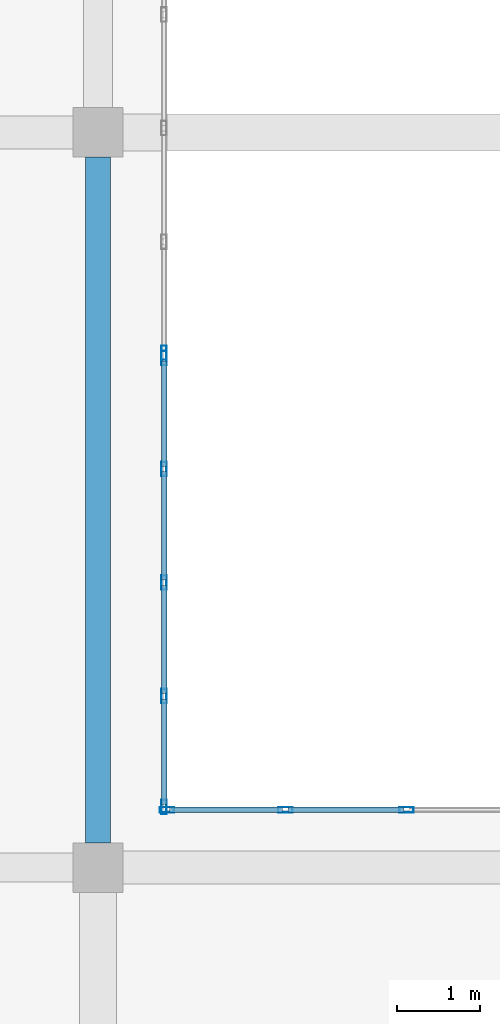
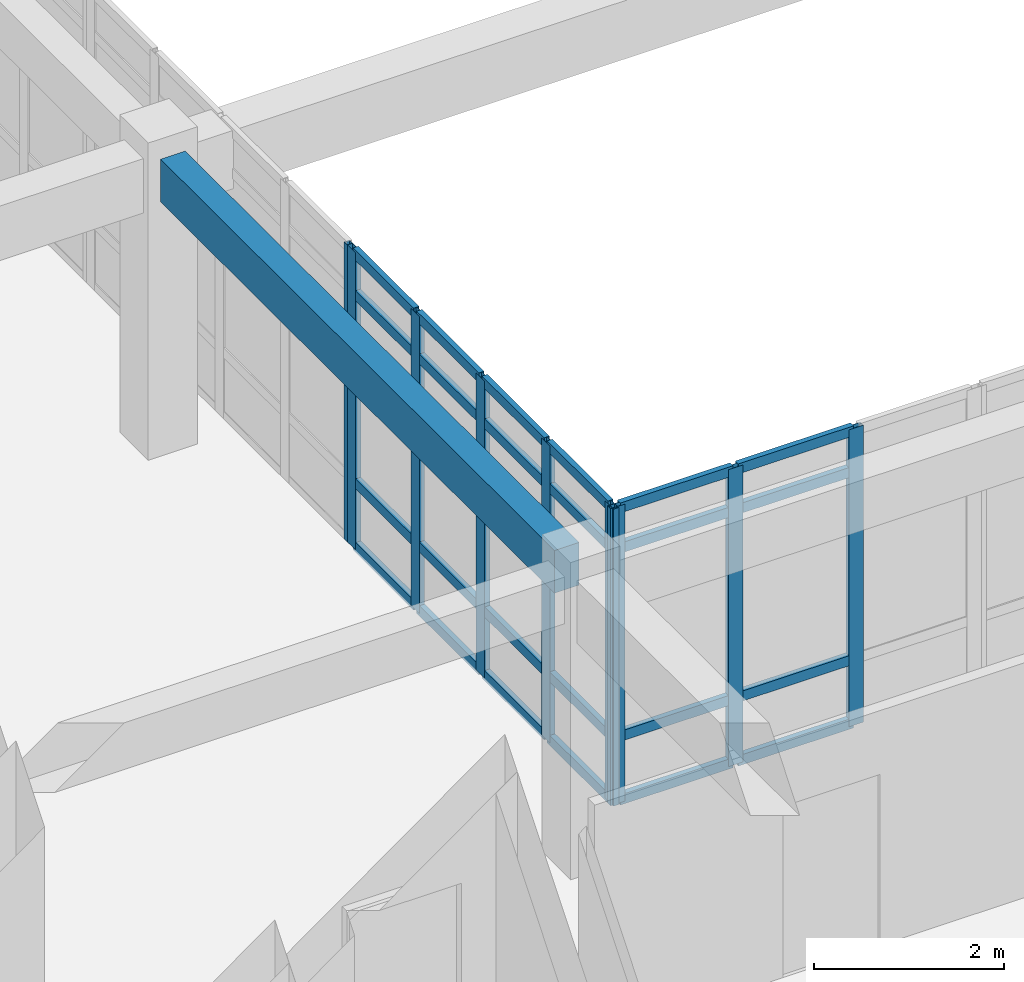
# One storey, part 81 of 146: 33 members, 1 beam, 3 elements without a shape of their own.
"""IFC4 building model written with IfcOpenShell, lengths in metres."""

import ifcopenshell
import ifcopenshell.guid

model = None  # the IFC model being written
_history = None  # IfcOwnerHistory: only IFC2X3 demands one
_inside = {}  # id of a spatial element -> (the spatial element, [elements in it])
_under = {}  # id of a project, library or spatial element -> (it, [spatial elements below it])
_declared = {}  # id of a project -> (the project, [libraries it declares])
_typed = {}  # id of a type object -> (the type object, [elements of that type])
_made_of = {}  # id of a material, layer set ... -> (it, [elements and type objects made of it])


def new_model(schema):
    """Start an empty IFC model of exactly this schema.

    Asked for "IFC4X3", IfcOpenShell would pick the latest addendum, in which some entities
    have other attributes; the version numbers below select the first issue.
    IFC2X3 requires an IfcOwnerHistory on every rooted entity: one is made here for all.
    """
    global model, _history
    if schema == "IFC4X3":
        model = ifcopenshell.file(schema_version=(4, 3, 0, 0))
    else:
        model = ifcopenshell.file(schema=schema)
    _inside.clear()
    _under.clear()
    _declared.clear()
    _typed.clear()
    _made_of.clear()
    _history = None
    if model.schema == "IFC2X3":
        org = make("IfcOrganization", Name="unknown")
        user = make(
            "IfcPersonAndOrganization",
            ThePerson=make("IfcPerson", FamilyName="unknown"),
            TheOrganization=org,
        )
        app = make(
            "IfcApplication",
            ApplicationDeveloper=org,
            Version="unknown",
            ApplicationFullName="unknown",
            ApplicationIdentifier="unknown",
        )
        _history = make(
            "IfcOwnerHistory",
            OwningUser=user,
            OwningApplication=app,
            ChangeAction="ADDED",
            CreationDate=0,
        )
    return model


def make(cls, **values):
    """One entity of the class cls with the attributes given. An attribute that is None is left unset."""
    return model.create_entity(
        cls, **{name: value for name, value in values.items() if value is not None}
    )


def rooted(cls, **values):
    """An entity with a GlobalId (a new one), such as an element, a storey or a relation."""
    return make(cls, GlobalId=ifcopenshell.guid.new(), OwnerHistory=_history, **values)


def si_unit(unit_type, name, prefix=None):
    """IfcSIUnit, for example si_unit("LENGTHUNIT", "METRE", prefix="MILLI")."""
    return make("IfcSIUnit", UnitType=unit_type, Prefix=prefix, Name=name)


def assignment(units):
    """IfcUnitAssignment: the units of a project."""
    return None if units is None else make("IfcUnitAssignment", Units=units)


def point(xyz):
    """IfcCartesianPoint."""
    return None if xyz is None else make("IfcCartesianPoint", Coordinates=xyz)


def direction(xyz):
    """IfcDirection."""
    return None if xyz is None else make("IfcDirection", DirectionRatios=xyz)


def frame(location, z_axis=None, x_axis=None):
    """IfcAxis2Placement3D, a coordinate frame: its origin and axes. An axis left out is left unset."""
    return make(
        "IfcAxis2Placement3D",
        Location=point(location),
        Axis=direction(z_axis),
        RefDirection=direction(x_axis),
    )


def frame_2d(location, x_axis=None):
    """IfcAxis2Placement2D, a coordinate frame in the plane: its origin and x axis."""
    return make(
        "IfcAxis2Placement2D", Location=point(location), RefDirection=direction(x_axis)
    )


def origin():
    """The frame at (0, 0, 0) with its axes left unset."""
    return frame((0.0, 0.0, 0.0))


def origin_2d():
    """The frame at (0, 0) in the plane with its x axis left unset."""
    return frame_2d((0.0, 0.0))


def place(relative_to, where):
    """IfcLocalPlacement: puts the frame where relative to a parent placement (None: the world)."""
    return make(
        "IfcLocalPlacement", PlacementRelTo=relative_to, RelativePlacement=where
    )


def context(
    kind, dimensions, precision=None, world=None, true_north=None, identifier=None
):
    """IfcGeometricRepresentationContext, for example the 3D "Model" context."""
    return make(
        "IfcGeometricRepresentationContext",
        ContextIdentifier=identifier,
        ContextType=kind,
        CoordinateSpaceDimension=dimensions,
        Precision=precision,
        WorldCoordinateSystem=world,
        TrueNorth=true_north,
    )


def subcontext(parent, identifier, kind, view, scale=None):
    """IfcGeometricRepresentationSubContext, for example "Body" below "Model"."""
    return make(
        "IfcGeometricRepresentationSubContext",
        ContextIdentifier=identifier,
        ContextType=kind,
        ParentContext=parent,
        TargetScale=scale,
        TargetView=view,
    )


def project(units=None, contexts=None):
    """IfcProject with its units and contexts."""
    return rooted(
        "IfcProject",
        Name="project",
        RepresentationContexts=contexts,
        UnitsInContext=assignment(units),
    )


def spatial(cls, under=None, at=None, **own):
    """A site, building, storey or space (cls), placed at a placement, below another one or the project."""
    s = rooted(cls, ObjectPlacement=at, **own)
    if under is not None:
        _under.setdefault(under.id(), (under, []))[1].append(s)
    return s


def profile(cls, at=None, kind="AREA", **sizes):
    """A parametric profile (cls). Its sizes go by their IFC names, for example OverallWidth=200.0."""
    return make(cls, ProfileType=kind, Position=at, **sizes)


def rectangle(**sizes):
    """IfcRectangleProfileDef."""
    return profile("IfcRectangleProfileDef", **sizes)


def hollow_rectangle(**sizes):
    """IfcRectangleHollowProfileDef."""
    return profile("IfcRectangleHollowProfileDef", **sizes)


def extrude(swept, where, along, depth):
    """IfcExtrudedAreaSolid: the profile swept, set in the frame where, extruded along a direction by depth."""
    return make(
        "IfcExtrudedAreaSolid",
        SweptArea=swept,
        Position=where,
        ExtrudedDirection=direction(along),
        Depth=depth,
    )


def shape(context_of_items, identifier, shape_type, items):
    """IfcShapeRepresentation: the items that make up one representation, for example the "Body"."""
    return make(
        "IfcShapeRepresentation",
        ContextOfItems=context_of_items,
        RepresentationIdentifier=identifier,
        RepresentationType=shape_type,
        Items=items,
    )


def material(Name=None, Category=None):
    """IfcMaterial."""
    return make("IfcMaterial", Name=Name, Category=Category)


def layer(
    of_material, thickness, ventilated=None, Name=None, Category=None, Priority=None
):
    """IfcMaterialLayer: one layer of a wall or slab, of a material (None: an air gap)."""
    return make(
        "IfcMaterialLayer",
        Material=of_material,
        LayerThickness=thickness,
        IsVentilated=ventilated,
        Name=Name,
        Category=Category,
        Priority=Priority,
    )


def layer_set(layers, Name=None):
    """IfcMaterialLayerSet."""
    return make("IfcMaterialLayerSet", MaterialLayers=layers, LayerSetName=Name)


def material_profile(
    of_material, cross_section, Name=None, Category=None, Priority=None
):
    """IfcMaterialProfile: a cross section and its material."""
    return make(
        "IfcMaterialProfile",
        Name=Name,
        Material=of_material,
        Profile=cross_section,
        Priority=Priority,
        Category=Category,
    )


def profile_set(profiles, Name=None, composite=None):
    """IfcMaterialProfileSet."""
    return make(
        "IfcMaterialProfileSet",
        Name=Name,
        MaterialProfiles=profiles,
        CompositeProfile=composite,
    )


def made_of(thing, what):
    """Note that an element or type object is made of a material, layer set ...; save() writes the relation."""
    if what is not None:
        _made_of.setdefault(what.id(), (what, []))[1].append(thing)
    return thing


def type_object(cls, material=None, **own):
    """A type object (cls), such as IfcWallType, which elements share."""
    return made_of(rooted(cls, **own), material)


def element(
    cls,
    number,
    at=None,
    inside=None,
    cuts=None,
    type_object=None,
    material=None,
    context=None,
    identifier="Body",
    shape_type=None,
    held_by="IfcProductDefinitionShape",
    body=None,
    shapes=None,
    **own,
):
    """One element of the class cls, such as IfcWall. Its Tag is "e" and its number.

    at: its placement. inside: the storey or other place that contains it. cuts: it is an
    opening in that element (IfcRelVoidsElement). A single representation is given by context,
    identifier, shape_type and body (its items); several are given by shapes. held_by: the class
    of the entity that holds the representations. save() writes the other relations.
    """
    e = rooted(cls, Tag="e%d" % number, ObjectPlacement=at, **own)
    if body is not None:
        shapes = [shape(context, identifier, shape_type, body)]
    if shapes is not None:
        e.Representation = make(held_by, Representations=shapes)
    if inside is not None:
        _inside.setdefault(inside.id(), (inside, []))[1].append(e)
    if cuts is not None:
        rooted(
            "IfcRelVoidsElement", RelatingBuildingElement=cuts, RelatedOpeningElement=e
        )
    if type_object is not None:
        _typed.setdefault(type_object.id(), (type_object, []))[1].append(e)
    return made_of(e, material)


def aggregate(whole, parts):
    """IfcRelAggregates: a whole, such as a stair, and the parts it consists of."""
    return rooted("IfcRelAggregates", RelatingObject=whole, RelatedObjects=parts)


def save(model, path):
    """Write the relations noted so far, then the file.

    IfcRelAggregates (storeys below a building ...), IfcRelContainedInSpatialStructure (elements
    in a storey), IfcRelDefinesByType, IfcRelAssociatesMaterial and IfcRelDeclares: one each for
    every whole, place, type object, material and project.
    """
    for whole, parts in _under.values():
        aggregate(whole, parts)
    for where, things in _inside.values():
        rooted(
            "IfcRelContainedInSpatialStructure",
            RelatedElements=things,
            RelatingStructure=where,
        )
    for kind, things in _typed.values():
        rooted("IfcRelDefinesByType", RelatedObjects=things, RelatingType=kind)
    for what, things in _made_of.values():
        rooted("IfcRelAssociatesMaterial", RelatedObjects=things, RelatingMaterial=what)
    for by, libraries in _declared.values():
        rooted("IfcRelDeclares", RelatingContext=by, RelatedDefinitions=libraries)
    model.write(path)


model = new_model("IFC4")

# Units and contexts
model_context = context("Model", 3, precision=1e-05, world=origin(), true_north=direction((0.0, 1.0)))
body_context = subcontext(model_context, "Body", "Model", "MODEL_VIEW")
ifc_project = project(units=[si_unit("LENGTHUNIT", "METRE"), si_unit("AREAUNIT", "SQUARE_METRE"), si_unit("VOLUMEUNIT", "CUBIC_METRE"), si_unit("PLANEANGLEUNIT", "RADIAN"), si_unit("MASSUNIT", "GRAM", prefix="KILO")], contexts=[model_context])

# Site, building, storey
site_placement = place(None, origin())
site = spatial("IfcSite", under=ifc_project, at=site_placement, CompositionType="ELEMENT")
building_placement = place(site_placement, origin())
building = spatial("IfcBuilding", under=site, at=building_placement, Name="Valcora Specialist Clinic", CompositionType="ELEMENT")
storey_placement = place(building_placement, frame((0.0, 0.0, 9.52001953125)))
storey = spatial("IfcBuildingStorey", under=building, at=storey_placement, Name="L02", CompositionType="ELEMENT", Elevation=9.52001953125)

# Beam
ifc_material_1 = material(Name="Concrete C40/50", Category="concrete")
ifc_material_profile_1 = material_profile(ifc_material_1, rectangle(XDim=0.300048828125, YDim=0.550048828125, at=origin_2d()), Name="RC-BM-300X550")
ifc_profile_set_1 = profile_set([ifc_material_profile_1], Name="Concrete C40/50")
beam_type = type_object("IfcBeamType", Name="TY-BM-RC300X550", PredefinedType="BEAM", material=ifc_profile_set_1)
beam_placement = place(storey_placement, frame((76.0, 81.60009765625, 3.544921875), z_axis=(0.0, 1.0, 0.0), x_axis=(-1.0, 0.0, 0.0)))
element("IfcBeam", 1, at=beam_placement, inside=storey, type_object=beam_type, Name="Beam BM-L02-0743", PredefinedType="BEAM", context=body_context, shape_type="SweptSolid", body=[
    extrude(rectangle(XDim=0.300048828125, YDim=0.550048828125, at=origin_2d()), origin(), (0.0, 0.0, 1.0), 8.2998046875),
])

# Curtain wall, members
ifc_material_2 = material(Name="Anodized Bronze Aluminium 6063-T6", Category="aluminium")
ifc_layer = layer(ifc_material_2, 0.175048828125)
ifc_layer_set = layer_set([ifc_layer], Name="Anodized Bronze Aluminium 6063-T6")
curtain_wall_type = type_object("IfcCurtainWallType", Name="TY-CW-CRT15", PredefinedType="NOTDEFINED", material=ifc_layer_set)
curtain_wall_1_placement = place(storey_placement, origin())
curtain_wall_1 = element("IfcCurtainWall", 2, at=curtain_wall_1_placement, inside=storey, type_object=curtain_wall_type, Name="Curtain wall CW-L02-093", PredefinedType="NOTDEFINED")
ifc_material_profile_2 = material_profile(ifc_material_2, hollow_rectangle(XDim=0.06494140625, YDim=0.175048828125, WallThickness=0.00390625, at=origin_2d()), Name="AL-MUL-65X175")
ifc_profile_set_2 = profile_set([ifc_material_profile_2], Name="Anodized Bronze Aluminium 6063-T6")
member_type_1 = type_object("IfcMemberType", Name="TY-CWM-65X175", PredefinedType="MULLION", material=ifc_profile_set_2)
member_1_placement = place(storey_placement, frame((76.83251953125, 82.0, 0.0), z_axis=(0.0, 0.0, 1.0), x_axis=(0.0, 1.0, 0.0)))
member_1 = element("IfcMember", 3, at=member_1_placement, type_object=member_type_1, Name="CW-CRT-15 mullion 1", PredefinedType="MULLION", context=body_context, shape_type="SweptSolid", body=[
    extrude(hollow_rectangle(XDim=0.06494140625, YDim=0.175048828125, WallThickness=0.00390625, at=origin_2d()), origin(), (0.0, 0.0, 1.0), 3.820068359375),
])
member_2_placement = place(storey_placement, frame((78.2666015625, 82.0, 0.0), z_axis=(0.0, 0.0, 1.0), x_axis=(0.0, 1.0, 0.0)))
member_2 = element("IfcMember", 4, at=member_2_placement, type_object=member_type_1, Name="CW-CRT-15 mullion 2", PredefinedType="MULLION", context=body_context, shape_type="SweptSolid", body=[
    extrude(hollow_rectangle(XDim=0.06494140625, YDim=0.175048828125, WallThickness=0.00390625, at=origin_2d()), origin(), (0.0, 0.0, 1.0), 3.820068359375),
])
member_3_placement = place(storey_placement, frame((79.7333984375, 82.0, 0.0), z_axis=(0.0, 0.0, 1.0), x_axis=(0.0, 1.0, 0.0)))
member_3 = element("IfcMember", 5, at=member_3_placement, type_object=member_type_1, Name="CW-CRT-15 mullion 3", PredefinedType="MULLION", context=body_context, shape_type="SweptSolid", body=[
    extrude(hollow_rectangle(XDim=0.06494140625, YDim=0.175048828125, WallThickness=0.00390625, at=origin_2d()), origin(), (0.0, 0.0, 1.0), 3.820068359375),
])

# Curtain wall, member
curtain_wall_2_placement = place(storey_placement, origin())
curtain_wall_2 = element("IfcCurtainWall", 6, at=curtain_wall_2_placement, inside=storey, type_object=curtain_wall_type, Name="Curtain wall CW-L02-103", PredefinedType="NOTDEFINED")
member_4_placement = place(storey_placement, frame((76.800048828125, 87.532470703125, 0.0), z_axis=(0.0, 0.0, 1.0), x_axis=(1.0, 0.0, 0.0)))
member_4 = element("IfcMember", 7, at=member_4_placement, type_object=member_type_1, Name="CW-CRT-15 mullion 5", PredefinedType="MULLION", context=body_context, shape_type="SweptSolid", body=[
    extrude(hollow_rectangle(XDim=0.06494140625, YDim=0.175048828125, WallThickness=0.00390625, at=origin_2d()), origin(), (0.0, 0.0, 1.0), 3.820068359375),
])
aggregate(curtain_wall_2, [member_4])

# Curtain wall, members
curtain_wall_3_placement = place(storey_placement, origin())
curtain_wall_3 = element("IfcCurtainWall", 8, at=curtain_wall_3_placement, inside=storey, type_object=curtain_wall_type, Name="Curtain wall CW-L02-104", PredefinedType="NOTDEFINED")
member_5_placement = place(storey_placement, frame((76.800048828125, 87.467529296875, 0.0), z_axis=(0.0, 0.0, 1.0), x_axis=(1.0, 0.0, 0.0)))
member_5 = element("IfcMember", 9, at=member_5_placement, type_object=member_type_1, Name="CW-CRT-15 mullion 1", PredefinedType="MULLION", context=body_context, shape_type="SweptSolid", body=[
    extrude(hollow_rectangle(XDim=0.06494140625, YDim=0.175048828125, WallThickness=0.00390625, at=origin_2d()), origin(), (0.0, 0.0, 1.0), 3.820068359375),
])
member_6_placement = place(storey_placement, frame((76.800048828125, 86.125, 0.0), z_axis=(0.0, 0.0, 1.0), x_axis=(1.0, 0.0, 0.0)))
member_6 = element("IfcMember", 10, at=member_6_placement, type_object=member_type_1, Name="CW-CRT-15 mullion 2", PredefinedType="MULLION", context=body_context, shape_type="SweptSolid", body=[
    extrude(hollow_rectangle(XDim=0.06494140625, YDim=0.175048828125, WallThickness=0.00390625, at=origin_2d()), origin(), (0.0, 0.0, 1.0), 3.820068359375),
])
member_7_placement = place(storey_placement, frame((76.800048828125, 84.75, 0.0), z_axis=(0.0, 0.0, 1.0), x_axis=(1.0, 0.0, 0.0)))
member_7 = element("IfcMember", 11, at=member_7_placement, type_object=member_type_1, Name="CW-CRT-15 mullion 3", PredefinedType="MULLION", context=body_context, shape_type="SweptSolid", body=[
    extrude(hollow_rectangle(XDim=0.06494140625, YDim=0.175048828125, WallThickness=0.00390625, at=origin_2d()), origin(), (0.0, 0.0, 1.0), 3.820068359375),
])
member_8_placement = place(storey_placement, frame((76.800048828125, 83.375, 0.0), z_axis=(0.0, 0.0, 1.0), x_axis=(1.0, 0.0, 0.0)))
member_8 = element("IfcMember", 12, at=member_8_placement, type_object=member_type_1, Name="CW-CRT-15 mullion 4", PredefinedType="MULLION", context=body_context, shape_type="SweptSolid", body=[
    extrude(hollow_rectangle(XDim=0.06494140625, YDim=0.175048828125, WallThickness=0.00390625, at=origin_2d()), origin(), (0.0, 0.0, 1.0), 3.820068359375),
])
member_9_placement = place(storey_placement, frame((76.800048828125, 82.032470703125, 0.0), z_axis=(0.0, 0.0, 1.0), x_axis=(1.0, 0.0, 0.0)))
member_9 = element("IfcMember", 13, at=member_9_placement, type_object=member_type_1, Name="CW-CRT-15 mullion 5", PredefinedType="MULLION", context=body_context, shape_type="SweptSolid", body=[
    extrude(hollow_rectangle(XDim=0.06494140625, YDim=0.175048828125, WallThickness=0.00390625, at=origin_2d()), origin(), (0.0, 0.0, 1.0), 3.820068359375),
])

# Member
ifc_material_profile_3 = material_profile(ifc_material_2, hollow_rectangle(XDim=0.06494140625, YDim=0.1298828125, WallThickness=0.00390625, at=origin_2d()), Name="AL-TRN-65X130")
ifc_profile_set_3 = profile_set([ifc_material_profile_3], Name="Anodized Bronze Aluminium 6063-T6")
member_type_2 = type_object("IfcMemberType", Name="TY-CWT-65X130", PredefinedType="USERDEFINED", material=ifc_profile_set_3)
member_10_placement = place(storey_placement, frame((76.864990234375, 82.0, 0.032470703125), z_axis=(1.0, 0.0, 0.0), x_axis=(0.0, 1.0, 0.0)))
member_10 = element("IfcMember", 14, at=member_10_placement, type_object=member_type_2, Name="CW-CRT-15 transom 1.1", ObjectType="TRANSOM", PredefinedType="USERDEFINED", context=body_context, shape_type="SweptSolid", body=[
    extrude(hollow_rectangle(XDim=0.06494140625, YDim=0.1298828125, WallThickness=0.00390625, at=origin_2d()), origin(), (0.0, 0.0, 1.0), 1.369140625),
])

member_11_placement = place(storey_placement, frame((76.864990234375, 82.0, 0.85009765625), z_axis=(1.0, 0.0, 0.0), x_axis=(0.0, 1.0, 0.0)))
member_11 = element("IfcMember", 15, at=member_11_placement, type_object=member_type_2, Name="CW-CRT-15 transom 1.2", ObjectType="TRANSOM", PredefinedType="USERDEFINED", context=body_context, shape_type="SweptSolid", body=[
    extrude(hollow_rectangle(XDim=0.06494140625, YDim=0.1298828125, WallThickness=0.00390625, at=origin_2d()), origin(), (0.0, 0.0, 1.0), 1.369140625),
])

member_12_placement = place(storey_placement, frame((76.864990234375, 82.0, 3.27001953125), z_axis=(1.0, 0.0, 0.0), x_axis=(0.0, 1.0, 0.0)))
member_12 = element("IfcMember", 16, at=member_12_placement, type_object=member_type_2, Name="CW-CRT-15 transom 1.3", ObjectType="TRANSOM", PredefinedType="USERDEFINED", context=body_context, shape_type="SweptSolid", body=[
    extrude(hollow_rectangle(XDim=0.06494140625, YDim=0.1298828125, WallThickness=0.00390625, at=origin_2d()), origin(), (0.0, 0.0, 1.0), 1.369140625),
])

member_13_placement = place(storey_placement, frame((76.864990234375, 82.0, 3.78759765625), z_axis=(1.0, 0.0, 0.0), x_axis=(0.0, 1.0, 0.0)))
member_13 = element("IfcMember", 17, at=member_13_placement, type_object=member_type_2, Name="CW-CRT-15 transom 1.4", ObjectType="TRANSOM", PredefinedType="USERDEFINED", context=body_context, shape_type="SweptSolid", body=[
    extrude(hollow_rectangle(XDim=0.06494140625, YDim=0.1298828125, WallThickness=0.00390625, at=origin_2d()), origin(), (0.0, 0.0, 1.0), 1.369140625),
])

member_14_placement = place(storey_placement, frame((78.299072265625, 82.0, 0.032470703125), z_axis=(1.0, 0.0, 0.0), x_axis=(0.0, 1.0, 0.0)))
member_14 = element("IfcMember", 18, at=member_14_placement, type_object=member_type_2, Name="CW-CRT-15 transom 2.1", ObjectType="TRANSOM", PredefinedType="USERDEFINED", context=body_context, shape_type="SweptSolid", body=[
    extrude(hollow_rectangle(XDim=0.06494140625, YDim=0.1298828125, WallThickness=0.00390625, at=origin_2d()), origin(), (0.0, 0.0, 1.0), 1.40185546875),
])

member_15_placement = place(storey_placement, frame((78.299072265625, 82.0, 0.85009765625), z_axis=(1.0, 0.0, 0.0), x_axis=(0.0, 1.0, 0.0)))
member_15 = element("IfcMember", 19, at=member_15_placement, type_object=member_type_2, Name="CW-CRT-15 transom 2.2", ObjectType="TRANSOM", PredefinedType="USERDEFINED", context=body_context, shape_type="SweptSolid", body=[
    extrude(hollow_rectangle(XDim=0.06494140625, YDim=0.1298828125, WallThickness=0.00390625, at=origin_2d()), origin(), (0.0, 0.0, 1.0), 1.40185546875),
])

member_16_placement = place(storey_placement, frame((78.299072265625, 82.0, 3.27001953125), z_axis=(1.0, 0.0, 0.0), x_axis=(0.0, 1.0, 0.0)))
member_16 = element("IfcMember", 20, at=member_16_placement, type_object=member_type_2, Name="CW-CRT-15 transom 2.3", ObjectType="TRANSOM", PredefinedType="USERDEFINED", context=body_context, shape_type="SweptSolid", body=[
    extrude(hollow_rectangle(XDim=0.06494140625, YDim=0.1298828125, WallThickness=0.00390625, at=origin_2d()), origin(), (0.0, 0.0, 1.0), 1.40185546875),
])

member_17_placement = place(storey_placement, frame((78.299072265625, 82.0, 3.78759765625), z_axis=(1.0, 0.0, 0.0), x_axis=(0.0, 1.0, 0.0)))
member_17 = element("IfcMember", 21, at=member_17_placement, type_object=member_type_2, Name="CW-CRT-15 transom 2.4", ObjectType="TRANSOM", PredefinedType="USERDEFINED", context=body_context, shape_type="SweptSolid", body=[
    extrude(hollow_rectangle(XDim=0.06494140625, YDim=0.1298828125, WallThickness=0.00390625, at=origin_2d()), origin(), (0.0, 0.0, 1.0), 1.40185546875),
])

aggregate(curtain_wall_1, [member_1, member_2, member_3, member_10, member_11, member_12, member_13, member_14, member_15, member_16, member_17])

member_18_placement = place(storey_placement, frame((76.800048828125, 87.43505859375, 0.032470703125), z_axis=(0.0, -1.0, 0.0), x_axis=(1.0, 0.0, 0.0)))
member_18 = element("IfcMember", 22, at=member_18_placement, type_object=member_type_2, Name="CW-CRT-15 transom 1.1", ObjectType="TRANSOM", PredefinedType="USERDEFINED", context=body_context, shape_type="SweptSolid", body=[
    extrude(hollow_rectangle(XDim=0.06494140625, YDim=0.1298828125, WallThickness=0.00390625, at=origin_2d()), origin(), (0.0, 0.0, 1.0), 1.277587890625),
])

member_19_placement = place(storey_placement, frame((76.800048828125, 87.43505859375, 0.85009765625), z_axis=(0.0, -1.0, 0.0), x_axis=(1.0, 0.0, 0.0)))
member_19 = element("IfcMember", 23, at=member_19_placement, type_object=member_type_2, Name="CW-CRT-15 transom 1.2", ObjectType="TRANSOM", PredefinedType="USERDEFINED", context=body_context, shape_type="SweptSolid", body=[
    extrude(hollow_rectangle(XDim=0.06494140625, YDim=0.1298828125, WallThickness=0.00390625, at=origin_2d()), origin(), (0.0, 0.0, 1.0), 1.277587890625),
])

member_20_placement = place(storey_placement, frame((76.800048828125, 87.43505859375, 3.27001953125), z_axis=(0.0, -1.0, 0.0), x_axis=(1.0, 0.0, 0.0)))
member_20 = element("IfcMember", 24, at=member_20_placement, type_object=member_type_2, Name="CW-CRT-15 transom 1.3", ObjectType="TRANSOM", PredefinedType="USERDEFINED", context=body_context, shape_type="SweptSolid", body=[
    extrude(hollow_rectangle(XDim=0.06494140625, YDim=0.1298828125, WallThickness=0.00390625, at=origin_2d()), origin(), (0.0, 0.0, 1.0), 1.277587890625),
])

member_21_placement = place(storey_placement, frame((76.800048828125, 87.43505859375, 3.78759765625), z_axis=(0.0, -1.0, 0.0), x_axis=(1.0, 0.0, 0.0)))
member_21 = element("IfcMember", 25, at=member_21_placement, type_object=member_type_2, Name="CW-CRT-15 transom 1.4", ObjectType="TRANSOM", PredefinedType="USERDEFINED", context=body_context, shape_type="SweptSolid", body=[
    extrude(hollow_rectangle(XDim=0.06494140625, YDim=0.1298828125, WallThickness=0.00390625, at=origin_2d()), origin(), (0.0, 0.0, 1.0), 1.277587890625),
])

member_22_placement = place(storey_placement, frame((76.800048828125, 86.092529296875, 0.032470703125), z_axis=(0.0, -1.0, 0.0), x_axis=(1.0, 0.0, 0.0)))
member_22 = element("IfcMember", 26, at=member_22_placement, type_object=member_type_2, Name="CW-CRT-15 transom 2.1", ObjectType="TRANSOM", PredefinedType="USERDEFINED", context=body_context, shape_type="SweptSolid", body=[
    extrude(hollow_rectangle(XDim=0.06494140625, YDim=0.1298828125, WallThickness=0.00390625, at=origin_2d()), origin(), (0.0, 0.0, 1.0), 1.31005859375),
])

member_23_placement = place(storey_placement, frame((76.800048828125, 86.092529296875, 0.85009765625), z_axis=(0.0, -1.0, 0.0), x_axis=(1.0, 0.0, 0.0)))
member_23 = element("IfcMember", 27, at=member_23_placement, type_object=member_type_2, Name="CW-CRT-15 transom 2.2", ObjectType="TRANSOM", PredefinedType="USERDEFINED", context=body_context, shape_type="SweptSolid", body=[
    extrude(hollow_rectangle(XDim=0.06494140625, YDim=0.1298828125, WallThickness=0.00390625, at=origin_2d()), origin(), (0.0, 0.0, 1.0), 1.31005859375),
])

member_24_placement = place(storey_placement, frame((76.800048828125, 86.092529296875, 3.27001953125), z_axis=(0.0, -1.0, 0.0), x_axis=(1.0, 0.0, 0.0)))
member_24 = element("IfcMember", 28, at=member_24_placement, type_object=member_type_2, Name="CW-CRT-15 transom 2.3", ObjectType="TRANSOM", PredefinedType="USERDEFINED", context=body_context, shape_type="SweptSolid", body=[
    extrude(hollow_rectangle(XDim=0.06494140625, YDim=0.1298828125, WallThickness=0.00390625, at=origin_2d()), origin(), (0.0, 0.0, 1.0), 1.31005859375),
])

member_25_placement = place(storey_placement, frame((76.800048828125, 86.092529296875, 3.78759765625), z_axis=(0.0, -1.0, 0.0), x_axis=(1.0, 0.0, 0.0)))
member_25 = element("IfcMember", 29, at=member_25_placement, type_object=member_type_2, Name="CW-CRT-15 transom 2.4", ObjectType="TRANSOM", PredefinedType="USERDEFINED", context=body_context, shape_type="SweptSolid", body=[
    extrude(hollow_rectangle(XDim=0.06494140625, YDim=0.1298828125, WallThickness=0.00390625, at=origin_2d()), origin(), (0.0, 0.0, 1.0), 1.31005859375),
])

member_26_placement = place(storey_placement, frame((76.800048828125, 84.717529296875, 0.032470703125), z_axis=(0.0, -1.0, 0.0), x_axis=(1.0, 0.0, 0.0)))
member_26 = element("IfcMember", 30, at=member_26_placement, type_object=member_type_2, Name="CW-CRT-15 transom 3.1", ObjectType="TRANSOM", PredefinedType="USERDEFINED", context=body_context, shape_type="SweptSolid", body=[
    extrude(hollow_rectangle(XDim=0.06494140625, YDim=0.1298828125, WallThickness=0.00390625, at=origin_2d()), origin(), (0.0, 0.0, 1.0), 1.31005859375),
])

member_27_placement = place(storey_placement, frame((76.800048828125, 84.717529296875, 0.85009765625), z_axis=(0.0, -1.0, 0.0), x_axis=(1.0, 0.0, 0.0)))
member_27 = element("IfcMember", 31, at=member_27_placement, type_object=member_type_2, Name="CW-CRT-15 transom 3.2", ObjectType="TRANSOM", PredefinedType="USERDEFINED", context=body_context, shape_type="SweptSolid", body=[
    extrude(hollow_rectangle(XDim=0.06494140625, YDim=0.1298828125, WallThickness=0.00390625, at=origin_2d()), origin(), (0.0, 0.0, 1.0), 1.31005859375),
])

member_28_placement = place(storey_placement, frame((76.800048828125, 84.717529296875, 3.27001953125), z_axis=(0.0, -1.0, 0.0), x_axis=(1.0, 0.0, 0.0)))
member_28 = element("IfcMember", 32, at=member_28_placement, type_object=member_type_2, Name="CW-CRT-15 transom 3.3", ObjectType="TRANSOM", PredefinedType="USERDEFINED", context=body_context, shape_type="SweptSolid", body=[
    extrude(hollow_rectangle(XDim=0.06494140625, YDim=0.1298828125, WallThickness=0.00390625, at=origin_2d()), origin(), (0.0, 0.0, 1.0), 1.31005859375),
])

member_29_placement = place(storey_placement, frame((76.800048828125, 84.717529296875, 3.78759765625), z_axis=(0.0, -1.0, 0.0), x_axis=(1.0, 0.0, 0.0)))
member_29 = element("IfcMember", 33, at=member_29_placement, type_object=member_type_2, Name="CW-CRT-15 transom 3.4", ObjectType="TRANSOM", PredefinedType="USERDEFINED", context=body_context, shape_type="SweptSolid", body=[
    extrude(hollow_rectangle(XDim=0.06494140625, YDim=0.1298828125, WallThickness=0.00390625, at=origin_2d()), origin(), (0.0, 0.0, 1.0), 1.31005859375),
])

member_30_placement = place(storey_placement, frame((76.800048828125, 83.342529296875, 0.032470703125), z_axis=(0.0, -1.0, 0.0), x_axis=(1.0, 0.0, 0.0)))
member_30 = element("IfcMember", 34, at=member_30_placement, type_object=member_type_2, Name="CW-CRT-15 transom 4.1", ObjectType="TRANSOM", PredefinedType="USERDEFINED", context=body_context, shape_type="SweptSolid", body=[
    extrude(hollow_rectangle(XDim=0.06494140625, YDim=0.1298828125, WallThickness=0.00390625, at=origin_2d()), origin(), (0.0, 0.0, 1.0), 1.277587890625),
])

member_31_placement = place(storey_placement, frame((76.800048828125, 83.342529296875, 0.85009765625), z_axis=(0.0, -1.0, 0.0), x_axis=(1.0, 0.0, 0.0)))
member_31 = element("IfcMember", 35, at=member_31_placement, type_object=member_type_2, Name="CW-CRT-15 transom 4.2", ObjectType="TRANSOM", PredefinedType="USERDEFINED", context=body_context, shape_type="SweptSolid", body=[
    extrude(hollow_rectangle(XDim=0.06494140625, YDim=0.1298828125, WallThickness=0.00390625, at=origin_2d()), origin(), (0.0, 0.0, 1.0), 1.277587890625),
])

member_32_placement = place(storey_placement, frame((76.800048828125, 83.342529296875, 3.27001953125), z_axis=(0.0, -1.0, 0.0), x_axis=(1.0, 0.0, 0.0)))
member_32 = element("IfcMember", 36, at=member_32_placement, type_object=member_type_2, Name="CW-CRT-15 transom 4.3", ObjectType="TRANSOM", PredefinedType="USERDEFINED", context=body_context, shape_type="SweptSolid", body=[
    extrude(hollow_rectangle(XDim=0.06494140625, YDim=0.1298828125, WallThickness=0.00390625, at=origin_2d()), origin(), (0.0, 0.0, 1.0), 1.277587890625),
])

member_33_placement = place(storey_placement, frame((76.800048828125, 83.342529296875, 3.78759765625), z_axis=(0.0, -1.0, 0.0), x_axis=(1.0, 0.0, 0.0)))
member_33 = element("IfcMember", 37, at=member_33_placement, type_object=member_type_2, Name="CW-CRT-15 transom 4.4", ObjectType="TRANSOM", PredefinedType="USERDEFINED", context=body_context, shape_type="SweptSolid", body=[
    extrude(hollow_rectangle(XDim=0.06494140625, YDim=0.1298828125, WallThickness=0.00390625, at=origin_2d()), origin(), (0.0, 0.0, 1.0), 1.277587890625),
])

aggregate(curtain_wall_3, [member_5, member_6, member_7, member_8, member_9, member_18, member_19, member_20, member_21, member_22, member_23, member_24, member_25, member_26, member_27, member_28, member_29, member_30, member_31, member_32, member_33])

save(model, "model.ifc")
